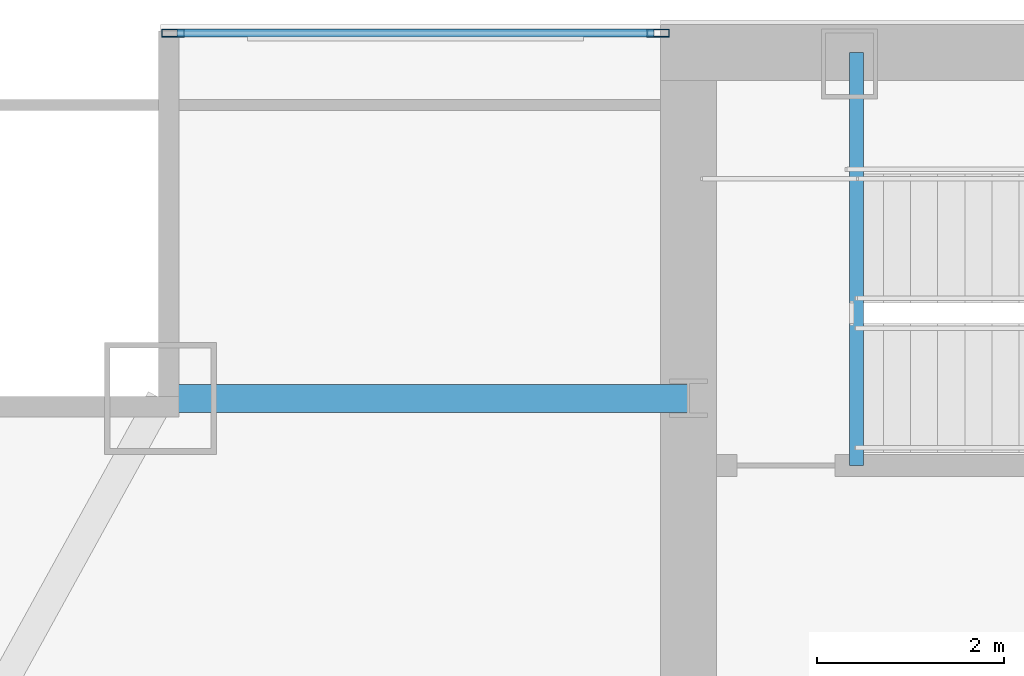
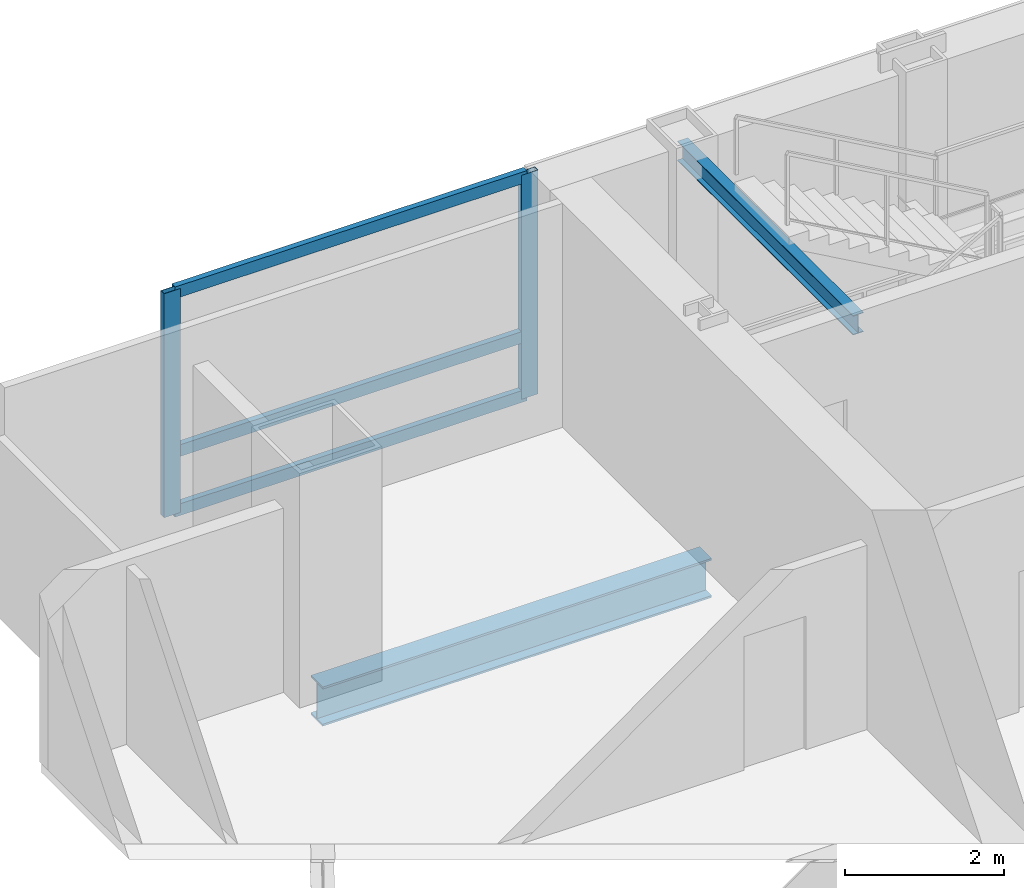
# One storey, part 21 of 30: 5 members, 2 beams, 1 element without a shape of its own.
"""IFC4 building model written with IfcOpenShell, lengths in metres."""

from ifc_helpers import new_model, si_unit, direction, frame, origin, origin_2d, place, context, subcontext, project, spatial, hollow_rectangle, i_section, extrude, material, material_profile, profile_set, type_object, element, aggregate, save


model = new_model("IFC4")

# Units and contexts
model_context = context("Model", 3, precision=1e-05, world=origin(), true_north=direction((0.0, 1.0)))
body_context = subcontext(model_context, "Body", "Model", "MODEL_VIEW")
ifc_project = project(units=[si_unit("LENGTHUNIT", "METRE"), si_unit("AREAUNIT", "SQUARE_METRE"), si_unit("VOLUMEUNIT", "CUBIC_METRE"), si_unit("PLANEANGLEUNIT", "RADIAN"), si_unit("MASSUNIT", "GRAM", prefix="KILO")], contexts=[model_context])

# Site, building, storey
site_placement = place(None, origin())
site = spatial("IfcSite", under=ifc_project, at=site_placement, CompositionType="ELEMENT")
building_placement = place(site_placement, origin())
building = spatial("IfcBuilding", under=site, at=building_placement, Name="Khoronbel Lancet Exchange", CompositionType="ELEMENT")
storey_placement = place(building_placement, frame((0.0, 0.0, 206.60009765625)))
storey = spatial("IfcBuildingStorey", under=building, at=storey_placement, Name="L52", CompositionType="ELEMENT", Elevation=206.60009765625)

# Beams
ifc_material_1 = material(Name="Steel S355", Category="steel")
ifc_material_profile_1 = material_profile(ifc_material_1, i_section(OverallWidth=0.14990234375, OverallDepth=0.300048828125, WebThickness=0.007080078125, FlangeThickness=0.0107421875, at=origin_2d()), Name="IPE 300")
ifc_profile_set_1 = profile_set([ifc_material_profile_1], Name="Steel S355")
beam_type_1 = type_object("IfcBeamType", Name="BM-BJ8", PredefinedType="JOIST", material=ifc_profile_set_1)
beam_1_placement = place(storey_placement, frame((18.300048828125, 48.97998046875, 3.159912109375), z_axis=(0.0, 1.0, 0.0), x_axis=(-1.0, 0.0, 0.0)))
element("IfcBeam", 1, at=beam_1_placement, inside=storey, type_object=beam_type_1, Name="Level L52 stair ST1 upper-flight arrival trimmer beam", PredefinedType="JOIST", context=body_context, shape_type="SweptSolid", body=[
    extrude(i_section(OverallWidth=0.14990234375, OverallDepth=0.300048828125, WebThickness=0.007080078125, FlangeThickness=0.0107421875, at=origin_2d()), origin(), (0.0, 0.0, 1.0), 4.419921875),
])
ifc_material_profile_2 = material_profile(ifc_material_1, i_section(OverallWidth=0.300048828125, OverallDepth=0.60009765625, WebThickness=0.015380859375, FlangeThickness=0.030029296875, at=origin_2d()), Name="HEB 600")
ifc_profile_set_2 = profile_set([ifc_material_profile_2], Name="Steel S355")
beam_type_2 = type_object("IfcBeamType", Name="BM-BSP2", PredefinedType="SPANDREL", material=ifc_profile_set_2)
beam_2_placement = place(storey_placement, frame((10.85009765625, 49.699951171875, -0.460205078125), z_axis=(1.0, 0.0, 0.0), x_axis=(0.0, 1.0, 0.0)))
element("IfcBeam", 2, at=beam_2_placement, inside=storey, type_object=beam_type_2, Name="Level L52 north flank tie spandrel SP22", PredefinedType="SPANDREL", context=body_context, shape_type="SweptSolid", body=[
    extrude(i_section(OverallWidth=0.300048828125, OverallDepth=0.60009765625, WebThickness=0.015380859375, FlangeThickness=0.030029296875, at=origin_2d()), origin(), (0.0, 0.0, 1.0), 5.64990234375),
])

# Curtain wall, members
ifc_material_2 = material(Name="Low-E Solar Control Insulating Glass", Category="glass")
curtain_wall_type = type_object("IfcCurtainWallType", Name="CW-3", PredefinedType="NOTDEFINED", material=ifc_material_2)
curtain_wall_placement = place(storey_placement, origin())
curtain_wall = element("IfcCurtainWall", 3, at=curtain_wall_placement, inside=storey, type_object=curtain_wall_type, Name="Unitised curtain wall CW-L52-NWFLK", PredefinedType="NOTDEFINED")
ifc_material_3 = material(Name="Bronze-Anodised Aluminium 6063-T6", Category="aluminium")
ifc_material_profile_3 = material_profile(ifc_material_3, hollow_rectangle(XDim=0.0849609375, YDim=0.239990234375, WallThickness=0.006103515625, at=origin_2d()), Name="ALU MULLION 85x240")
ifc_profile_set_3 = profile_set([ifc_material_profile_3], Name="Bronze-Anodised Aluminium 6063-T6")
member_type_1 = type_object("IfcMemberType", Name="MEM-CWM1", PredefinedType="MULLION", material=ifc_profile_set_3)
member_1_placement = place(storey_placement, frame((16.177490234375, 53.610107421875, 0.0), z_axis=(0.0, 0.0, 1.0), x_axis=(0.0, -1.0, 0.0)))
member_1 = element("IfcMember", 4, at=member_1_placement, type_object=member_type_1, Name="CW3 mullion 1", PredefinedType="MULLION", context=body_context, shape_type="SweptSolid", body=[
    extrude(hollow_rectangle(XDim=0.0849609375, YDim=0.239990234375, WallThickness=0.006103515625, at=origin_2d()), origin(), (0.0, 0.0, 1.0), 3.43994140625),
])
member_2_placement = place(storey_placement, frame((10.982421875, 53.610107421875, 0.0), z_axis=(0.0, 0.0, 1.0), x_axis=(0.0, -1.0, 0.0)))
member_2 = element("IfcMember", 5, at=member_2_placement, type_object=member_type_1, Name="CW3 mullion 2", PredefinedType="MULLION", context=body_context, shape_type="SweptSolid", body=[
    extrude(hollow_rectangle(XDim=0.0849609375, YDim=0.239990234375, WallThickness=0.006103515625, at=origin_2d()), origin(), (0.0, 0.0, 1.0), 3.43994140625),
])
ifc_material_profile_4 = material_profile(ifc_material_3, hollow_rectangle(XDim=0.0849609375, YDim=0.179931640625, WallThickness=0.0048828125, at=origin_2d()), Name="ALU TRANSOM 85x180")
ifc_profile_set_4 = profile_set([ifc_material_profile_4], Name="Bronze-Anodised Aluminium 6063-T6")
member_type_2 = type_object("IfcMemberType", Name="MEM-CWT1", PredefinedType="USERDEFINED", material=ifc_profile_set_4)
member_3_placement = place(storey_placement, frame((16.135009765625, 53.610107421875, 0.04248046875), z_axis=(-1.0, 0.0, 0.0), x_axis=(0.0, -1.0, 0.0)))
member_3 = element("IfcMember", 6, at=member_3_placement, type_object=member_type_2, Name="CW3 transom 1.1", ObjectType="TRANSOM", PredefinedType="USERDEFINED", context=body_context, shape_type="SweptSolid", body=[
    extrude(hollow_rectangle(XDim=0.0849609375, YDim=0.179931640625, WallThickness=0.0048828125, at=origin_2d()), origin(), (0.0, 0.0, 1.0), 5.110107421875),
])
member_4_placement = place(storey_placement, frame((16.135009765625, 53.610107421875, 0.949951171875), z_axis=(-1.0, 0.0, 0.0), x_axis=(0.0, -1.0, 0.0)))
member_4 = element("IfcMember", 7, at=member_4_placement, type_object=member_type_2, Name="CW3 transom 1.2", ObjectType="TRANSOM", PredefinedType="USERDEFINED", context=body_context, shape_type="SweptSolid", body=[
    extrude(hollow_rectangle(XDim=0.0849609375, YDim=0.179931640625, WallThickness=0.0048828125, at=origin_2d()), origin(), (0.0, 0.0, 1.0), 5.110107421875),
])
member_5_placement = place(storey_placement, frame((16.135009765625, 53.610107421875, 3.3974609375), z_axis=(-1.0, 0.0, 0.0), x_axis=(0.0, -1.0, 0.0)))
member_5 = element("IfcMember", 8, at=member_5_placement, type_object=member_type_2, Name="CW3 transom 1.3", ObjectType="TRANSOM", PredefinedType="USERDEFINED", context=body_context, shape_type="SweptSolid", body=[
    extrude(hollow_rectangle(XDim=0.0849609375, YDim=0.179931640625, WallThickness=0.0048828125, at=origin_2d()), origin(), (0.0, 0.0, 1.0), 5.110107421875),
])
aggregate(curtain_wall, [member_1, member_2, member_3, member_4, member_5])

save(model, "model.ifc")
